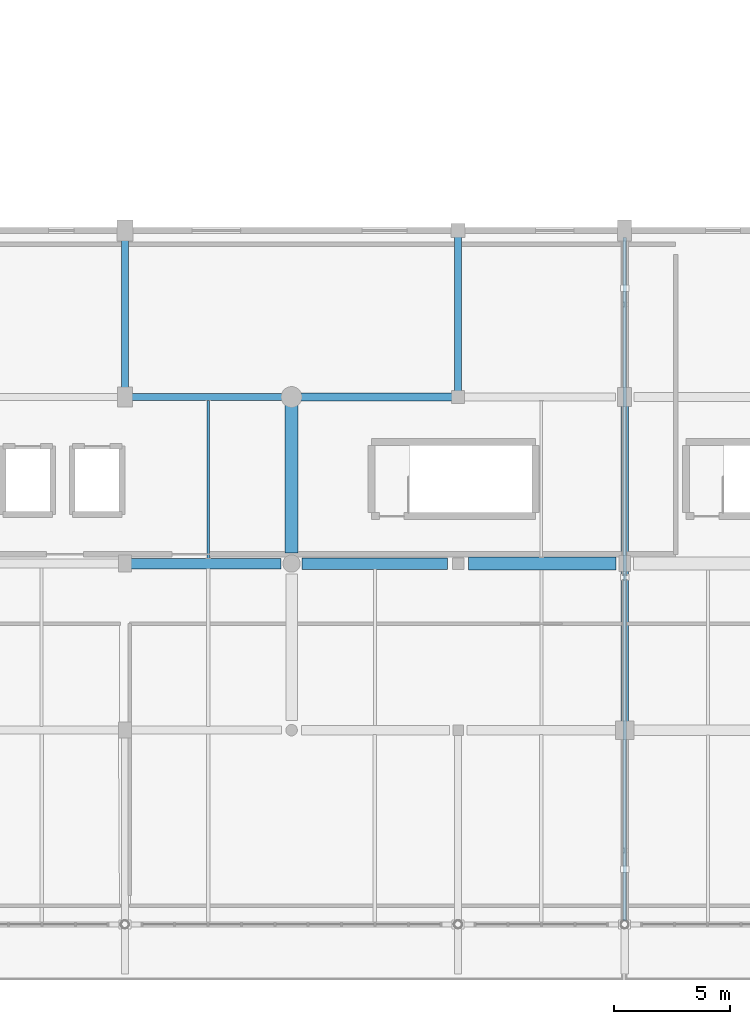
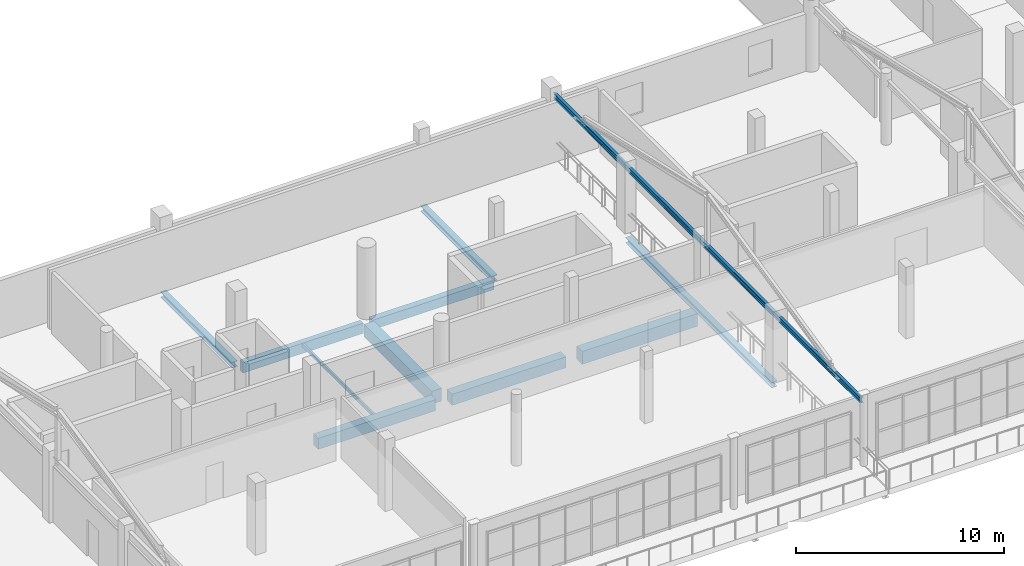
# One storey, part 9 of 41: 11 beams.
"""IFC4 building model written with IfcOpenShell, lengths in metres."""

from ifc_helpers import new_model, si_unit, direction, frame, origin, origin_2d, place, context, subcontext, project, spatial, rectangle, hollow_rectangle, i_section, extrude, material, material_profile, profile_set, type_object, element, save


model = new_model("IFC4")

# Units and contexts
model_context = context("Model", 3, precision=1e-05, world=origin(), true_north=direction((0.0, 1.0)))
body_context = subcontext(model_context, "Body", "Model", "MODEL_VIEW")
ifc_project = project(units=[si_unit("LENGTHUNIT", "METRE"), si_unit("AREAUNIT", "SQUARE_METRE"), si_unit("VOLUMEUNIT", "CUBIC_METRE"), si_unit("PLANEANGLEUNIT", "RADIAN"), si_unit("MASSUNIT", "GRAM", prefix="KILO")], contexts=[model_context])

# Site, building, storey
site_placement = place(None, origin())
site = spatial("IfcSite", under=ifc_project, at=site_placement, CompositionType="ELEMENT")
building_placement = place(site_placement, origin())
building = spatial("IfcBuilding", under=site, at=building_placement, Name="Solanera Park Tramway Depot", CompositionType="ELEMENT")
storey_placement = place(building_placement, frame((0.0, 0.0, 13.199951171875)))
storey = spatial("IfcBuildingStorey", under=building, at=storey_placement, Name="L03", CompositionType="ELEMENT", Elevation=13.199951171875)

# Beams
ifc_material_1 = material(Name="Concrete N40 (C40/50)", Category="concrete")
ifc_material_profile_1 = material_profile(ifc_material_1, rectangle(XDim=0.300048828125, YDim=0.60009765625, at=origin_2d()), Name="RCB 300x600")
ifc_profile_set_1 = profile_set([ifc_material_profile_1], Name="Concrete N40 (C40/50)")
beam_type_1 = type_object("IfcBeamType", Name="RC Floor Beam RCB 300x600", PredefinedType="BEAM", material=ifc_profile_set_1)
beam_1_placement = place(storey_placement, frame((129.875, 25.199951171875, -0.62890625), z_axis=(1.0, 0.0, 0.0), x_axis=(0.0, 1.0, 0.0)))
element("IfcBeam", 1, at=beam_1_placement, inside=storey, type_object=beam_type_1, Name="L03 Primary X-Girder RCB 300x600 #0227", PredefinedType="BEAM", context=body_context, shape_type="SweptSolid", body=[
    extrude(rectangle(XDim=0.300048828125, YDim=0.60009765625, at=origin_2d()), origin(), (0.0, 0.0, 1.0), 6.675048828125),
])
ifc_material_2 = material(Name="Concrete N40 (C40/50)", Category="concrete")
ifc_material_profile_2 = material_profile(ifc_material_2, rectangle(XDim=0.35009765625, YDim=0.550048828125, at=origin_2d()), Name="RCB 350x550")
ifc_profile_set_2 = profile_set([ifc_material_profile_2], Name="Concrete N40 (C40/50)")
beam_type_2 = type_object("IfcBeamType", Name="RC Floor Beam RCB 350x550", PredefinedType="BEAM", material=ifc_profile_set_2)
beam_2_placement = place(storey_placement, frame((137.050048828125, 25.199951171875, -0.60400390625), z_axis=(1.0, 0.0, 0.0), x_axis=(0.0, 1.0, 0.0)))
element("IfcBeam", 2, at=beam_2_placement, inside=storey, type_object=beam_type_2, Name="L03 Primary X-Girder RCB 350x550 #0228", PredefinedType="BEAM", context=body_context, shape_type="SweptSolid", body=[
    extrude(rectangle(XDim=0.35009765625, YDim=0.550048828125, at=origin_2d()), origin(), (0.0, 0.0, 1.0), 6.724853515625),
])
ifc_material_3 = material(Name="Concrete N40 (C40/50)", Category="concrete")
ifc_material_profile_3 = material_profile(ifc_material_3, rectangle(XDim=0.449951171875, YDim=0.64990234375, at=origin_2d()), Name="RCB 450x650")
ifc_profile_set_3 = profile_set([ifc_material_profile_3], Name="Concrete N40 (C40/50)")
beam_type_3 = type_object("IfcBeamType", Name="RC Floor Beam RCB 450x650", PredefinedType="BEAM", material=ifc_profile_set_3)
beam_3_placement = place(storey_placement, frame((129.85009765625, 18.0, -0.654052734375), z_axis=(1.0, 0.0, 0.0), x_axis=(0.0, 1.0, 0.0)))
element("IfcBeam", 3, at=beam_3_placement, inside=storey, type_object=beam_type_3, Name="L03 Primary X-Girder RCB 450x650 #0216", PredefinedType="BEAM", context=body_context, shape_type="SweptSolid", body=[
    extrude(rectangle(XDim=0.449951171875, YDim=0.64990234375, at=origin_2d()), origin(), (0.0, 0.0, 1.0), 6.5),
])
ifc_material_4 = material(Name="Concrete N40 (C40/50)", Category="concrete")
ifc_material_profile_4 = material_profile(ifc_material_4, rectangle(XDim=0.5, YDim=0.64990234375, at=origin_2d()), Name="RCB 500x650")
ifc_profile_set_4 = profile_set([ifc_material_profile_4], Name="Concrete N40 (C40/50)")
beam_type_4 = type_object("IfcBeamType", Name="RC Floor Beam RCB 500x650", PredefinedType="BEAM", material=ifc_profile_set_4)
beam_4_placement = place(storey_placement, frame((137.25, 18.0, -0.654052734375), z_axis=(1.0, 0.0, 0.0), x_axis=(0.0, 1.0, 0.0)))
element("IfcBeam", 4, at=beam_4_placement, inside=storey, type_object=beam_type_4, Name="L03 Primary X-Girder RCB 500x650 #0217", PredefinedType="BEAM", context=body_context, shape_type="SweptSolid", body=[
    extrude(rectangle(XDim=0.5, YDim=0.64990234375, at=origin_2d()), origin(), (0.0, 0.0, 1.0), 6.300048828125),
])
ifc_material_5 = material(Name="Concrete N40 (C40/50)", Category="concrete")
ifc_material_profile_5 = material_profile(ifc_material_5, rectangle(XDim=0.550048828125, YDim=0.75, at=origin_2d()), Name="RCB 550x750")
ifc_profile_set_5 = profile_set([ifc_material_profile_5], Name="Concrete N40 (C40/50)")
beam_type_5 = type_object("IfcBeamType", Name="RC Floor Beam RCB 550x750", PredefinedType="BEAM", material=ifc_profile_set_5)
beam_5_placement = place(storey_placement, frame((144.449951171875, 18.0, -0.703857421875), z_axis=(1.0, 0.0, 0.0), x_axis=(0.0, 1.0, 0.0)))
element("IfcBeam", 5, at=beam_5_placement, inside=storey, type_object=beam_type_5, Name="L03 Primary X-Girder RCB 550x750 #0218", PredefinedType="BEAM", context=body_context, shape_type="SweptSolid", body=[
    extrude(rectangle(XDim=0.550048828125, YDim=0.75, at=origin_2d()), origin(), (0.0, 0.0, 1.0), 6.375),
])
beam_6_placement = place(storey_placement, frame((136.800048828125, 18.449951171875, -0.703857421875), z_axis=(0.0, 1.0, 0.0), x_axis=(-1.0, 0.0, 0.0)))
element("IfcBeam", 6, at=beam_6_placement, inside=storey, type_object=beam_type_5, Name="L03 Primary Y-Girder RCB 550x750 #0241", PredefinedType="BEAM", context=body_context, shape_type="SweptSolid", body=[
    extrude(rectangle(XDim=0.550048828125, YDim=0.75, at=origin_2d()), origin(), (0.0, 0.0, 1.0), 6.5),
])
ifc_material_6 = material(Name="Steel AS/NZS 3679.1 Grade 350", Category="steel")
ifc_material_profile_6 = material_profile(ifc_material_6, i_section(OverallWidth=0.166015625, OverallDepth=0.30712890625, WebThickness=0.006591796875, FlangeThickness=0.01171875, at=origin_2d()), Name="310UB46.2")
ifc_profile_set_6 = profile_set([ifc_material_profile_6], Name="Steel AS/NZS 3679.1 Grade 350")
beam_type_6 = type_object("IfcBeamType", Name="Steel Beam 310UB46.2", PredefinedType="BEAM", material=ifc_profile_set_6)
beam_7_placement = place(storey_placement, frame((151.199951171875, 2.580078125, 3.646484375), z_axis=(0.0, 1.0, 0.0), x_axis=(-1.0, 0.0, 0.0)))
element("IfcBeam", 7, at=beam_7_placement, inside=storey, type_object=beam_type_6, Name="L03 Hip ROOF TRUSS Tie 310UB46.2 #1068", PredefinedType="BEAM", context=body_context, shape_type="SweptSolid", body=[
    extrude(i_section(OverallWidth=0.166015625, OverallDepth=0.30712890625, WebThickness=0.006591796875, FlangeThickness=0.01171875, at=origin_2d()), origin(), (0.0, 0.0, 1.0), 29.52001953125),
])
ifc_material_7 = material(Name="Steel AS/NZS 3679.1 Grade 350", Category="steel")
ifc_material_profile_7 = material_profile(ifc_material_7, i_section(OverallWidth=0.310546875, OverallDepth=0.3271484375, WebThickness=0.015625, FlangeThickness=0.02490234375, at=origin_2d()), Name="310UC158")
ifc_profile_set_7 = profile_set([ifc_material_profile_7], Name="Steel AS/NZS 3679.1 Grade 350")
beam_type_7 = type_object("IfcBeamType", Name="Steel Beam 310UC158", PredefinedType="BEAM", material=ifc_profile_set_7)
for number, where, z_axis, x_axis, name in (
    (8, (129.60009765625, 25.3798828125, -0.52001953125), (0.0, 1.0, 0.0), (-1.0, 0.0, 0.0), "L03 Transfer Truss Backspan Chord 310UC158 #0315"),
    (9, (144.0, 25.3798828125, -0.52001953125), (0.0, 1.0, 0.0), (-1.0, 0.0, 0.0), "L03 Transfer Truss Backspan Chord 310UC158 #0321"),
):
    element("IfcBeam", number, at=place(storey_placement, frame(where, z_axis=z_axis, x_axis=x_axis)), inside=storey, type_object=beam_type_7, Name=name, PredefinedType="BEAM", context=body_context, shape_type="SweptSolid", body=[
        extrude(i_section(OverallWidth=0.310546875, OverallDepth=0.3271484375, WebThickness=0.015625, FlangeThickness=0.02490234375, at=origin_2d()), origin(), (0.0, 0.0, 1.0), 6.840087890625),
    ])
beam_8_placement = place(storey_placement, frame((151.199951171875, 10.97998046875, -0.52001953125), z_axis=(0.0, 1.0, 0.0), x_axis=(-1.0, 0.0, 0.0)))
element("IfcBeam", 10, at=beam_8_placement, inside=storey, type_object=beam_type_7, Name="L03 Transfer Truss Backspan Chord 310UC158 #0328", PredefinedType="BEAM", context=body_context, shape_type="SweptSolid", body=[
    extrude(i_section(OverallWidth=0.310546875, OverallDepth=0.3271484375, WebThickness=0.015625, FlangeThickness=0.02490234375, at=origin_2d()), origin(), (0.0, 0.0, 1.0), 14.0400390625),
])
ifc_material_8 = material(Name="Steel AS/NZS 1163 Grade C350L0", Category="steel")
ifc_material_profile_8 = material_profile(ifc_material_8, hollow_rectangle(XDim=0.10009765625, YDim=0.199951171875, WallThickness=0.006103515625, at=origin_2d()), Name="200x100x6.0 RHS")
ifc_profile_set_8 = profile_set([ifc_material_profile_8], Name="Steel AS/NZS 1163 Grade C350L0")
beam_type_8 = type_object("IfcBeamType", Name="Steel Joist Purlin 200x100x6.0 RHS", PredefinedType="JOIST", material=ifc_profile_set_8)
beam_9_placement = place(storey_placement, frame((133.199951171875, 18.217041015625, -0.428955078125), z_axis=(0.0, 1.0, 0.0), x_axis=(-1.0, 0.0, 0.0)))
element("IfcBeam", 11, at=beam_9_placement, inside=storey, type_object=beam_type_8, Name="L03 Secondary Floor Joist 200x100x6.0 RHS #0273", PredefinedType="JOIST", context=body_context, shape_type="SweptSolid", body=[
    extrude(hollow_rectangle(XDim=0.10009765625, YDim=0.199951171875, WallThickness=0.006103515625, at=origin_2d()), origin(), (0.0, 0.0, 1.0), 6.841064453125),
])

save(model, "model.ifc")
